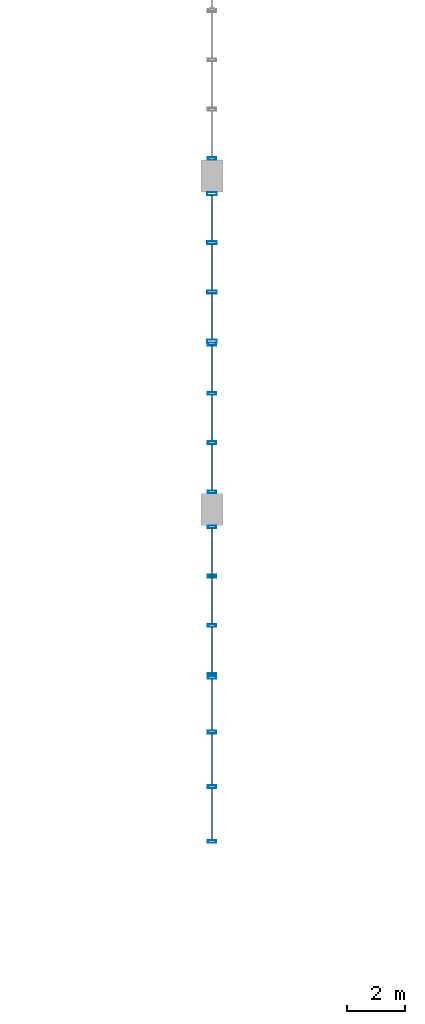
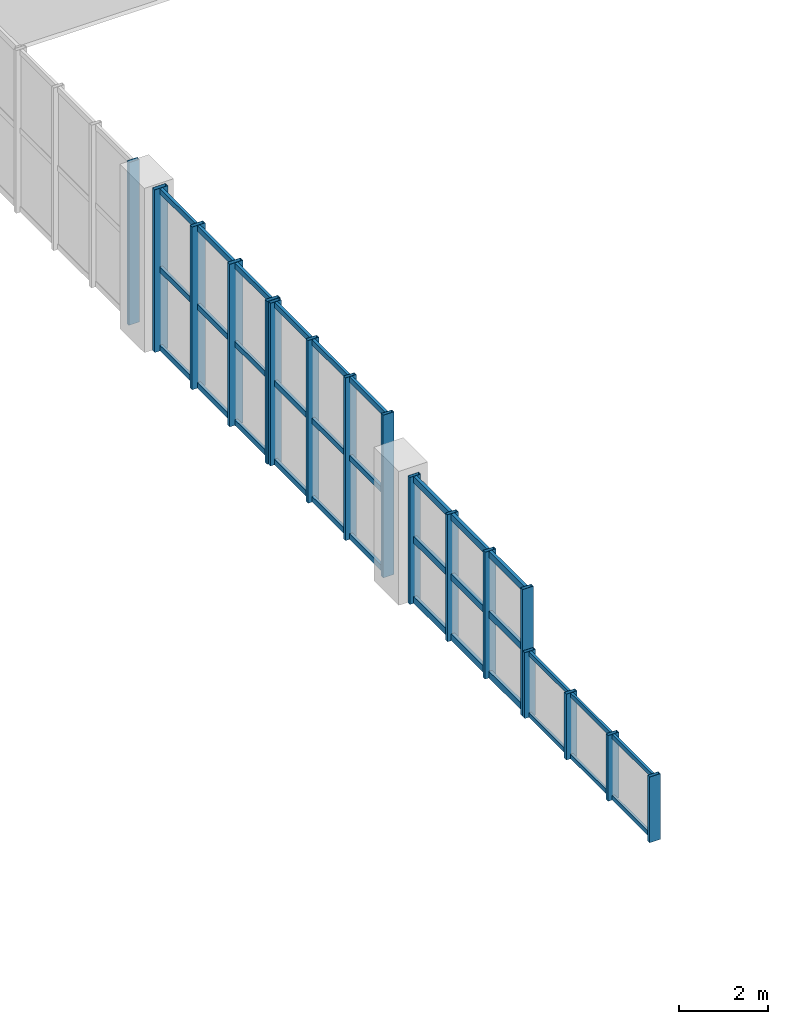
# One storey, part 15 of 48: 50 members, 5 elements without a shape of their own.
"""IFC4 building model written with IfcOpenShell, lengths in metres."""

from ifc_helpers import new_model, si_unit, direction, frame, origin, origin_2d, place, context, subcontext, project, spatial, hollow_rectangle, extrude, material, layer, layer_set, material_profile, profile_set, type_object, element, aggregate, save


model = new_model("IFC4")

# Units and contexts
model_context = context("Model", 3, precision=1e-05, world=origin(), true_north=direction((0.0, 1.0)))
body_context = subcontext(model_context, "Body", "Model", "MODEL_VIEW")
ifc_project = project(units=[si_unit("LENGTHUNIT", "METRE"), si_unit("AREAUNIT", "SQUARE_METRE"), si_unit("VOLUMEUNIT", "CUBIC_METRE"), si_unit("PLANEANGLEUNIT", "RADIAN"), si_unit("MASSUNIT", "GRAM", prefix="KILO"), si_unit("POWERUNIT", "WATT"), si_unit("THERMODYNAMICTEMPERATUREUNIT", "KELVIN")], contexts=[model_context])

# Site, building, storey
site_placement = place(None, origin())
site = spatial("IfcSite", under=ifc_project, at=site_placement, CompositionType="ELEMENT")
building_placement = place(site_placement, origin())
building = spatial("IfcBuilding", under=site, at=building_placement, Name="Kelmbourne Parkland Aquatics Centre", CompositionType="ELEMENT")
storey_placement = place(building_placement, frame((0.0, 0.0, 14.699951171875)))
storey = spatial("IfcBuildingStorey", under=building, at=storey_placement, Name="L03", CompositionType="ELEMENT", Elevation=14.699951171875)

# Curtain wall, members
ifc_material = material(Name="Thermally broken anodised aluminium framing", Category="aluminium")
ifc_layer_1 = layer(ifc_material, 0.179931640625)
ifc_layer_set_1 = layer_set([ifc_layer_1], Name="Thermally broken anodised aluminium framing")
curtain_wall_type_1 = type_object("IfcCurtainWallType", Name="CW-15", PredefinedType="NOTDEFINED", material=ifc_layer_set_1)
curtain_wall_1_placement = place(storey_placement, origin())
curtain_wall_1 = element("IfcCurtainWall", 1, at=curtain_wall_1_placement, inside=storey, type_object=curtain_wall_type_1, Name="Wave-hall clerestory curtain wall CW-L03-063", PredefinedType="NOTDEFINED")
ifc_material_profile_1 = material_profile(ifc_material, hollow_rectangle(XDim=0.094970703125, YDim=0.280029296875, WallThickness=0.005615234375, at=origin_2d()), Name="CW-M 95x280")
ifc_profile_set_1 = profile_set([ifc_material_profile_1], Name="Thermally broken anodised aluminium framing")
member_type_1 = type_object("IfcMemberType", Name="MB-MUL-4", PredefinedType="MULLION", material=ifc_profile_set_1)
member_1_placement = place(storey_placement, frame((128.0, 69.24755859375, 0.0), z_axis=(0.0, 0.0, 1.0), x_axis=(0.0, 1.0, 0.0)))
member_1 = element("IfcMember", 2, at=member_1_placement, type_object=member_type_1, Name="CW-L03-063 mullion 0", PredefinedType="MULLION", context=body_context, shape_type="SweptSolid", body=[
    extrude(hollow_rectangle(XDim=0.094970703125, YDim=0.280029296875, WallThickness=0.005615234375, at=origin_2d()), origin(), (0.0, 0.0, 1.0), 1.799560546875),
])
member_2_placement = place(storey_placement, frame((128.0, 71.11572265625, 0.0), z_axis=(0.0, 0.0, 1.0), x_axis=(0.0, 1.0, 0.0)))
member_2 = element("IfcMember", 3, at=member_2_placement, type_object=member_type_1, Name="CW-L03-063 mullion 1", PredefinedType="MULLION", context=body_context, shape_type="SweptSolid", body=[
    extrude(hollow_rectangle(XDim=0.094970703125, YDim=0.280029296875, WallThickness=0.005615234375, at=origin_2d()), origin(), (0.0, 0.0, 1.0), 1.799560546875),
])
member_3_placement = place(storey_placement, frame((128.0, 72.984130859375, 0.0), z_axis=(0.0, 0.0, 1.0), x_axis=(0.0, 1.0, 0.0)))
member_3 = element("IfcMember", 4, at=member_3_placement, type_object=member_type_1, Name="CW-L03-063 mullion 2", PredefinedType="MULLION", context=body_context, shape_type="SweptSolid", body=[
    extrude(hollow_rectangle(XDim=0.094970703125, YDim=0.280029296875, WallThickness=0.005615234375, at=origin_2d()), origin(), (0.0, 0.0, 1.0), 1.799560546875),
])
member_4_placement = place(storey_placement, frame((128.0, 74.8525390625, 0.0), z_axis=(0.0, 0.0, 1.0), x_axis=(0.0, 1.0, 0.0)))
member_4 = element("IfcMember", 5, at=member_4_placement, type_object=member_type_1, Name="CW-L03-063 mullion 3", PredefinedType="MULLION", context=body_context, shape_type="SweptSolid", body=[
    extrude(hollow_rectangle(XDim=0.094970703125, YDim=0.280029296875, WallThickness=0.005615234375, at=origin_2d()), origin(), (0.0, 0.0, 1.0), 1.799560546875),
])

ifc_layer_2 = layer(ifc_material, 0.179931640625)
ifc_layer_set_2 = layer_set([ifc_layer_2], Name="Thermally broken anodised aluminium framing")
curtain_wall_type_2 = type_object("IfcCurtainWallType", Name="CW-20", PredefinedType="NOTDEFINED", material=ifc_layer_set_2)
curtain_wall_2_placement = place(storey_placement, origin())
curtain_wall_2 = element("IfcCurtainWall", 6, at=curtain_wall_2_placement, inside=storey, type_object=curtain_wall_type_2, Name="Wave-hall clerestory curtain wall CW-L03-068", PredefinedType="NOTDEFINED")
member_5_placement = place(storey_placement, frame((128.0, 74.947509765625, 0.0), z_axis=(0.0, 0.0, 1.0), x_axis=(0.0, 1.0, 0.0)))
member_5 = element("IfcMember", 7, at=member_5_placement, type_object=member_type_1, Name="CW-L03-068 mullion 0", PredefinedType="MULLION", context=body_context, shape_type="SweptSolid", body=[
    extrude(hollow_rectangle(XDim=0.094970703125, YDim=0.280029296875, WallThickness=0.005615234375, at=origin_2d()), origin(), (0.0, 0.0, 1.0), 3.47314453125),
])
member_6_placement = place(storey_placement, frame((128.0, 76.6318359375, 0.0), z_axis=(0.0, 0.0, 1.0), x_axis=(0.0, 1.0, 0.0)))
member_6 = element("IfcMember", 8, at=member_6_placement, type_object=member_type_1, Name="CW-L03-068 mullion 1", PredefinedType="MULLION", context=body_context, shape_type="SweptSolid", body=[
    extrude(hollow_rectangle(XDim=0.094970703125, YDim=0.280029296875, WallThickness=0.005615234375, at=origin_2d()), origin(), (0.0, 0.0, 1.0), 3.47314453125),
])
member_7_placement = place(storey_placement, frame((128.0, 78.316162109375, 0.0), z_axis=(0.0, 0.0, 1.0), x_axis=(0.0, 1.0, 0.0)))
member_7 = element("IfcMember", 9, at=member_7_placement, type_object=member_type_1, Name="CW-L03-068 mullion 2", PredefinedType="MULLION", context=body_context, shape_type="SweptSolid", body=[
    extrude(hollow_rectangle(XDim=0.094970703125, YDim=0.280029296875, WallThickness=0.005615234375, at=origin_2d()), origin(), (0.0, 0.0, 1.0), 3.47314453125),
])
member_8_placement = place(storey_placement, frame((128.0, 80.00048828125, 0.0), z_axis=(0.0, 0.0, 1.0), x_axis=(0.0, 1.0, 0.0)))
member_8 = element("IfcMember", 10, at=member_8_placement, type_object=member_type_1, Name="CW-L03-068 mullion 3", PredefinedType="MULLION", context=body_context, shape_type="SweptSolid", body=[
    extrude(hollow_rectangle(XDim=0.094970703125, YDim=0.280029296875, WallThickness=0.005615234375, at=origin_2d()), origin(), (0.0, 0.0, 1.0), 3.47314453125),
])

ifc_layer_3 = layer(ifc_material, 0.179931640625)
ifc_layer_set_3 = layer_set([ifc_layer_3], Name="Thermally broken anodised aluminium framing")
curtain_wall_type_3 = type_object("IfcCurtainWallType", Name="CW-01", PredefinedType="NOTDEFINED", material=ifc_layer_set_3)
curtain_wall_3_placement = place(storey_placement, origin())
curtain_wall_3 = element("IfcCurtainWall", 11, at=curtain_wall_3_placement, inside=storey, type_object=curtain_wall_type_3, Name="Wave-hall clerestory curtain wall CW-L03-073", PredefinedType="NOTDEFINED")
member_9_placement = place(storey_placement, frame((128.0, 81.199462890625, 0.0), z_axis=(0.0, 0.0, 1.0), x_axis=(0.0, 1.0, 0.0)))
member_9 = element("IfcMember", 12, at=member_9_placement, type_object=member_type_1, Name="CW-L03-073 mullion 0", PredefinedType="MULLION", context=body_context, shape_type="SweptSolid", body=[
    extrude(hollow_rectangle(XDim=0.094970703125, YDim=0.280029296875, WallThickness=0.005615234375, at=origin_2d()), origin(), (0.0, 0.0, 1.0), 4.449951171875),
])
member_10_placement = place(storey_placement, frame((128.0, 82.8837890625, 0.0), z_axis=(0.0, 0.0, 1.0), x_axis=(0.0, 1.0, 0.0)))
member_10 = element("IfcMember", 13, at=member_10_placement, type_object=member_type_1, Name="CW-L03-073 mullion 1", PredefinedType="MULLION", context=body_context, shape_type="SweptSolid", body=[
    extrude(hollow_rectangle(XDim=0.094970703125, YDim=0.280029296875, WallThickness=0.005615234375, at=origin_2d()), origin(), (0.0, 0.0, 1.0), 4.449951171875),
])
member_11_placement = place(storey_placement, frame((128.0, 84.568115234375, 0.0), z_axis=(0.0, 0.0, 1.0), x_axis=(0.0, 1.0, 0.0)))
member_11 = element("IfcMember", 14, at=member_11_placement, type_object=member_type_1, Name="CW-L03-073 mullion 2", PredefinedType="MULLION", context=body_context, shape_type="SweptSolid", body=[
    extrude(hollow_rectangle(XDim=0.094970703125, YDim=0.280029296875, WallThickness=0.005615234375, at=origin_2d()), origin(), (0.0, 0.0, 1.0), 4.449951171875),
])
member_12_placement = place(storey_placement, frame((128.0, 86.25244140625, 0.0), z_axis=(0.0, 0.0, 1.0), x_axis=(0.0, 1.0, 0.0)))
member_12 = element("IfcMember", 15, at=member_12_placement, type_object=member_type_1, Name="CW-L03-073 mullion 3", PredefinedType="MULLION", context=body_context, shape_type="SweptSolid", body=[
    extrude(hollow_rectangle(XDim=0.094970703125, YDim=0.280029296875, WallThickness=0.005615234375, at=origin_2d()), origin(), (0.0, 0.0, 1.0), 4.449951171875),
])

# Curtain wall, member
ifc_layer_4 = layer(ifc_material, 0.179931640625)
ifc_layer_set_4 = layer_set([ifc_layer_4], Name="Thermally broken anodised aluminium framing")
curtain_wall_type_4 = type_object("IfcCurtainWallType", Name="CW-16", PredefinedType="NOTDEFINED", material=ifc_layer_set_4)
curtain_wall_4_placement = place(storey_placement, origin())
curtain_wall_4 = element("IfcCurtainWall", 16, at=curtain_wall_4_placement, inside=storey, type_object=curtain_wall_type_4, Name="Wave-hall clerestory curtain wall CW-L03-088", PredefinedType="NOTDEFINED")
member_13_placement = place(storey_placement, frame((128.0, 92.599609375, 0.0), z_axis=(0.0, 0.0, 1.0), x_axis=(0.0, 1.0, 0.0)))
member_13 = element("IfcMember", 17, at=member_13_placement, type_object=member_type_1, Name="CW-L03-088 mullion 0", PredefinedType="MULLION", context=body_context, shape_type="SweptSolid", body=[
    extrude(hollow_rectangle(XDim=0.094970703125, YDim=0.280029296875, WallThickness=0.005615234375, at=origin_2d()), origin(), (0.0, 0.0, 1.0), 4.449951171875),
])
aggregate(curtain_wall_4, [member_13])

# Curtain wall, members
ifc_layer_5 = layer(ifc_material, 0.179931640625)
ifc_layer_set_5 = layer_set([ifc_layer_5], Name="Thermally broken anodised aluminium framing")
curtain_wall_type_5 = type_object("IfcCurtainWallType", Name="CW-07", PredefinedType="NOTDEFINED", material=ifc_layer_set_5)
curtain_wall_5_placement = place(storey_placement, origin())
curtain_wall_5 = element("IfcCurtainWall", 18, at=curtain_wall_5_placement, inside=storey, type_object=curtain_wall_type_5, Name="Wave-hall clerestory curtain wall CW-L03-079", PredefinedType="NOTDEFINED")
ifc_material_profile_2 = material_profile(ifc_material, hollow_rectangle(XDim=0.10498046875, YDim=0.340087890625, WallThickness=0.006103515625, at=origin_2d()), Name="CW-M 105x340")
ifc_profile_set_2 = profile_set([ifc_material_profile_2], Name="Thermally broken anodised aluminium framing")
member_type_2 = type_object("IfcMemberType", Name="MB-MUL-5", PredefinedType="MULLION", material=ifc_profile_set_2)
member_14_placement = place(storey_placement, frame((128.0, 86.3525390625, 0.0), z_axis=(0.0, 0.0, 1.0), x_axis=(0.0, 1.0, 0.0)))
member_14 = element("IfcMember", 19, at=member_14_placement, type_object=member_type_2, Name="CW-L03-079 mullion 0", PredefinedType="MULLION", context=body_context, shape_type="SweptSolid", body=[
    extrude(hollow_rectangle(XDim=0.10498046875, YDim=0.340087890625, WallThickness=0.006103515625, at=origin_2d()), origin(), (0.0, 0.0, 1.0), 4.449951171875),
])
member_15_placement = place(storey_placement, frame((128.0, 88.033447265625, 0.0), z_axis=(0.0, 0.0, 1.0), x_axis=(0.0, 1.0, 0.0)))
member_15 = element("IfcMember", 20, at=member_15_placement, type_object=member_type_2, Name="CW-L03-079 mullion 1", PredefinedType="MULLION", context=body_context, shape_type="SweptSolid", body=[
    extrude(hollow_rectangle(XDim=0.10498046875, YDim=0.340087890625, WallThickness=0.006103515625, at=origin_2d()), origin(), (0.0, 0.0, 1.0), 4.449951171875),
])
member_16_placement = place(storey_placement, frame((128.0, 89.714599609375, 0.0), z_axis=(0.0, 0.0, 1.0), x_axis=(0.0, 1.0, 0.0)))
member_16 = element("IfcMember", 21, at=member_16_placement, type_object=member_type_2, Name="CW-L03-079 mullion 2", PredefinedType="MULLION", context=body_context, shape_type="SweptSolid", body=[
    extrude(hollow_rectangle(XDim=0.10498046875, YDim=0.340087890625, WallThickness=0.006103515625, at=origin_2d()), origin(), (0.0, 0.0, 1.0), 4.449951171875),
])
member_17_placement = place(storey_placement, frame((128.0, 91.3955078125, 0.0), z_axis=(0.0, 0.0, 1.0), x_axis=(0.0, 1.0, 0.0)))
member_17 = element("IfcMember", 22, at=member_17_placement, type_object=member_type_2, Name="CW-L03-079 mullion 3", PredefinedType="MULLION", context=body_context, shape_type="SweptSolid", body=[
    extrude(hollow_rectangle(XDim=0.10498046875, YDim=0.340087890625, WallThickness=0.006103515625, at=origin_2d()), origin(), (0.0, 0.0, 1.0), 4.449951171875),
])

# Member
ifc_material_profile_3 = material_profile(ifc_material, hollow_rectangle(XDim=0.06494140625, YDim=0.1201171875, WallThickness=0.00341796875, at=origin_2d()), Name="CW-T 65x120")
ifc_profile_set_3 = profile_set([ifc_material_profile_3], Name="Thermally broken anodised aluminium framing")
member_type_3 = type_object("IfcMemberType", Name="MB-TRN-1", PredefinedType="USERDEFINED", material=ifc_profile_set_3)
member_18_placement = place(storey_placement, frame((128.0, 69.291015625, 0.06298828125), z_axis=(0.0, 1.0, 0.0), x_axis=(-1.0, 0.0, 0.0)))
member_18 = element("IfcMember", 23, at=member_18_placement, type_object=member_type_3, Name="CW-L03-063 transom 0-0", ObjectType="TRANSOM", PredefinedType="USERDEFINED", context=body_context, shape_type="SweptSolid", body=[
    extrude(hollow_rectangle(XDim=0.06494140625, YDim=0.1201171875, WallThickness=0.00341796875, at=origin_2d()), origin(), (0.0, 0.0, 1.0), 1.78125),
])

member_19_placement = place(storey_placement, frame((128.0, 71.1591796875, 0.06298828125), z_axis=(0.0, 1.0, 0.0), x_axis=(-1.0, 0.0, 0.0)))
member_19 = element("IfcMember", 24, at=member_19_placement, type_object=member_type_3, Name="CW-L03-063 transom 0-1", ObjectType="TRANSOM", PredefinedType="USERDEFINED", context=body_context, shape_type="SweptSolid", body=[
    extrude(hollow_rectangle(XDim=0.06494140625, YDim=0.1201171875, WallThickness=0.00341796875, at=origin_2d()), origin(), (0.0, 0.0, 1.0), 1.781494140625),
])

member_20_placement = place(storey_placement, frame((128.0, 73.027587890625, 0.06298828125), z_axis=(0.0, 1.0, 0.0), x_axis=(-1.0, 0.0, 0.0)))
member_20 = element("IfcMember", 25, at=member_20_placement, type_object=member_type_3, Name="CW-L03-063 transom 0-2", ObjectType="TRANSOM", PredefinedType="USERDEFINED", context=body_context, shape_type="SweptSolid", body=[
    extrude(hollow_rectangle(XDim=0.06494140625, YDim=0.1201171875, WallThickness=0.00341796875, at=origin_2d()), origin(), (0.0, 0.0, 1.0), 1.781494140625),
])

member_21_placement = place(storey_placement, frame((128.0, 69.291015625, 1.736572265625), z_axis=(0.0, 1.0, 0.0), x_axis=(-1.0, 0.0, 0.0)))
member_21 = element("IfcMember", 26, at=member_21_placement, type_object=member_type_3, Name="CW-L03-063 transom 1-0", ObjectType="TRANSOM", PredefinedType="USERDEFINED", context=body_context, shape_type="SweptSolid", body=[
    extrude(hollow_rectangle(XDim=0.06494140625, YDim=0.1201171875, WallThickness=0.00341796875, at=origin_2d()), origin(), (0.0, 0.0, 1.0), 1.78125),
])

member_22_placement = place(storey_placement, frame((128.0, 71.1591796875, 1.736572265625), z_axis=(0.0, 1.0, 0.0), x_axis=(-1.0, 0.0, 0.0)))
member_22 = element("IfcMember", 27, at=member_22_placement, type_object=member_type_3, Name="CW-L03-063 transom 1-1", ObjectType="TRANSOM", PredefinedType="USERDEFINED", context=body_context, shape_type="SweptSolid", body=[
    extrude(hollow_rectangle(XDim=0.06494140625, YDim=0.1201171875, WallThickness=0.00341796875, at=origin_2d()), origin(), (0.0, 0.0, 1.0), 1.781494140625),
])

member_23_placement = place(storey_placement, frame((128.0, 73.027587890625, 1.736572265625), z_axis=(0.0, 1.0, 0.0), x_axis=(-1.0, 0.0, 0.0)))
member_23 = element("IfcMember", 28, at=member_23_placement, type_object=member_type_3, Name="CW-L03-063 transom 1-2", ObjectType="TRANSOM", PredefinedType="USERDEFINED", context=body_context, shape_type="SweptSolid", body=[
    extrude(hollow_rectangle(XDim=0.06494140625, YDim=0.1201171875, WallThickness=0.00341796875, at=origin_2d()), origin(), (0.0, 0.0, 1.0), 1.781494140625),
])

aggregate(curtain_wall_1, [member_1, member_2, member_3, member_4, member_18, member_19, member_20, member_21, member_22, member_23])

ifc_material_profile_4 = material_profile(ifc_material, hollow_rectangle(XDim=0.074951171875, YDim=0.14990234375, WallThickness=0.00390625, at=origin_2d()), Name="CW-T 75x150")
ifc_profile_set_4 = profile_set([ifc_material_profile_4], Name="Thermally broken anodised aluminium framing")
member_type_4 = type_object("IfcMemberType", Name="MB-TRN-2", PredefinedType="USERDEFINED", material=ifc_profile_set_4)
member_24_placement = place(storey_placement, frame((128.0, 81.242919921875, 0.078125), z_axis=(0.0, 1.0, 0.0), x_axis=(-1.0, 0.0, 0.0)))
member_24 = element("IfcMember", 29, at=member_24_placement, type_object=member_type_4, Name="CW-L03-073 transom 0-0", ObjectType="TRANSOM", PredefinedType="USERDEFINED", context=body_context, shape_type="SweptSolid", body=[
    extrude(hollow_rectangle(XDim=0.074951171875, YDim=0.14990234375, WallThickness=0.00390625, at=origin_2d()), origin(), (0.0, 0.0, 1.0), 1.597412109375),
])

member_25_placement = place(storey_placement, frame((128.0, 82.92724609375, 0.078125), z_axis=(0.0, 1.0, 0.0), x_axis=(-1.0, 0.0, 0.0)))
member_25 = element("IfcMember", 30, at=member_25_placement, type_object=member_type_4, Name="CW-L03-073 transom 0-1", ObjectType="TRANSOM", PredefinedType="USERDEFINED", context=body_context, shape_type="SweptSolid", body=[
    extrude(hollow_rectangle(XDim=0.074951171875, YDim=0.14990234375, WallThickness=0.00390625, at=origin_2d()), origin(), (0.0, 0.0, 1.0), 1.597412109375),
])

member_26_placement = place(storey_placement, frame((128.0, 84.61181640625, 0.078125), z_axis=(0.0, 1.0, 0.0), x_axis=(-1.0, 0.0, 0.0)))
member_26 = element("IfcMember", 31, at=member_26_placement, type_object=member_type_4, Name="CW-L03-073 transom 0-2", ObjectType="TRANSOM", PredefinedType="USERDEFINED", context=body_context, shape_type="SweptSolid", body=[
    extrude(hollow_rectangle(XDim=0.074951171875, YDim=0.14990234375, WallThickness=0.00390625, at=origin_2d()), origin(), (0.0, 0.0, 1.0), 1.59716796875),
])

member_27_placement = place(storey_placement, frame((128.0, 81.242919921875, 2.22509765625), z_axis=(0.0, 1.0, 0.0), x_axis=(-1.0, 0.0, 0.0)))
member_27 = element("IfcMember", 32, at=member_27_placement, type_object=member_type_4, Name="CW-L03-073 transom 1-0", ObjectType="TRANSOM", PredefinedType="USERDEFINED", context=body_context, shape_type="SweptSolid", body=[
    extrude(hollow_rectangle(XDim=0.074951171875, YDim=0.14990234375, WallThickness=0.00390625, at=origin_2d()), origin(), (0.0, 0.0, 1.0), 1.597412109375),
])

member_28_placement = place(storey_placement, frame((128.0, 82.92724609375, 2.22509765625), z_axis=(0.0, 1.0, 0.0), x_axis=(-1.0, 0.0, 0.0)))
member_28 = element("IfcMember", 33, at=member_28_placement, type_object=member_type_4, Name="CW-L03-073 transom 1-1", ObjectType="TRANSOM", PredefinedType="USERDEFINED", context=body_context, shape_type="SweptSolid", body=[
    extrude(hollow_rectangle(XDim=0.074951171875, YDim=0.14990234375, WallThickness=0.00390625, at=origin_2d()), origin(), (0.0, 0.0, 1.0), 1.597412109375),
])

member_29_placement = place(storey_placement, frame((128.0, 84.61181640625, 2.22509765625), z_axis=(0.0, 1.0, 0.0), x_axis=(-1.0, 0.0, 0.0)))
member_29 = element("IfcMember", 34, at=member_29_placement, type_object=member_type_4, Name="CW-L03-073 transom 1-2", ObjectType="TRANSOM", PredefinedType="USERDEFINED", context=body_context, shape_type="SweptSolid", body=[
    extrude(hollow_rectangle(XDim=0.074951171875, YDim=0.14990234375, WallThickness=0.00390625, at=origin_2d()), origin(), (0.0, 0.0, 1.0), 1.59716796875),
])

member_30_placement = place(storey_placement, frame((128.0, 81.242919921875, 4.3720703125), z_axis=(0.0, 1.0, 0.0), x_axis=(-1.0, 0.0, 0.0)))
member_30 = element("IfcMember", 35, at=member_30_placement, type_object=member_type_4, Name="CW-L03-073 transom 2-0", ObjectType="TRANSOM", PredefinedType="USERDEFINED", context=body_context, shape_type="SweptSolid", body=[
    extrude(hollow_rectangle(XDim=0.074951171875, YDim=0.14990234375, WallThickness=0.00390625, at=origin_2d()), origin(), (0.0, 0.0, 1.0), 1.597412109375),
])

member_31_placement = place(storey_placement, frame((128.0, 82.92724609375, 4.3720703125), z_axis=(0.0, 1.0, 0.0), x_axis=(-1.0, 0.0, 0.0)))
member_31 = element("IfcMember", 36, at=member_31_placement, type_object=member_type_4, Name="CW-L03-073 transom 2-1", ObjectType="TRANSOM", PredefinedType="USERDEFINED", context=body_context, shape_type="SweptSolid", body=[
    extrude(hollow_rectangle(XDim=0.074951171875, YDim=0.14990234375, WallThickness=0.00390625, at=origin_2d()), origin(), (0.0, 0.0, 1.0), 1.597412109375),
])

member_32_placement = place(storey_placement, frame((128.0, 84.61181640625, 4.3720703125), z_axis=(0.0, 1.0, 0.0), x_axis=(-1.0, 0.0, 0.0)))
member_32 = element("IfcMember", 37, at=member_32_placement, type_object=member_type_4, Name="CW-L03-073 transom 2-2", ObjectType="TRANSOM", PredefinedType="USERDEFINED", context=body_context, shape_type="SweptSolid", body=[
    extrude(hollow_rectangle(XDim=0.074951171875, YDim=0.14990234375, WallThickness=0.00390625, at=origin_2d()), origin(), (0.0, 0.0, 1.0), 1.59716796875),
])

aggregate(curtain_wall_3, [member_9, member_10, member_11, member_12, member_24, member_25, member_26, member_27, member_28, member_29, member_30, member_31, member_32])

member_33_placement = place(storey_placement, frame((128.0, 86.40087890625, 0.078125), z_axis=(0.0, 1.0, 0.0), x_axis=(-1.0, 0.0, 0.0)))
member_33 = element("IfcMember", 38, at=member_33_placement, type_object=member_type_4, Name="CW-L03-079 transom 0-0", ObjectType="TRANSOM", PredefinedType="USERDEFINED", context=body_context, shape_type="SweptSolid", body=[
    extrude(hollow_rectangle(XDim=0.074951171875, YDim=0.14990234375, WallThickness=0.00390625, at=origin_2d()), origin(), (0.0, 0.0, 1.0), 1.584228515625),
])

member_34_placement = place(storey_placement, frame((128.0, 88.08203125, 0.078125), z_axis=(0.0, 1.0, 0.0), x_axis=(-1.0, 0.0, 0.0)))
member_34 = element("IfcMember", 39, at=member_34_placement, type_object=member_type_4, Name="CW-L03-079 transom 0-1", ObjectType="TRANSOM", PredefinedType="USERDEFINED", context=body_context, shape_type="SweptSolid", body=[
    extrude(hollow_rectangle(XDim=0.074951171875, YDim=0.14990234375, WallThickness=0.00390625, at=origin_2d()), origin(), (0.0, 0.0, 1.0), 1.583984375),
])

member_35_placement = place(storey_placement, frame((128.0, 89.762939453125, 0.078125), z_axis=(0.0, 1.0, 0.0), x_axis=(-1.0, 0.0, 0.0)))
member_35 = element("IfcMember", 40, at=member_35_placement, type_object=member_type_4, Name="CW-L03-079 transom 0-2", ObjectType="TRANSOM", PredefinedType="USERDEFINED", context=body_context, shape_type="SweptSolid", body=[
    extrude(hollow_rectangle(XDim=0.074951171875, YDim=0.14990234375, WallThickness=0.00390625, at=origin_2d()), origin(), (0.0, 0.0, 1.0), 1.583984375),
])

member_36_placement = place(storey_placement, frame((128.0, 86.40087890625, 2.22509765625), z_axis=(0.0, 1.0, 0.0), x_axis=(-1.0, 0.0, 0.0)))
member_36 = element("IfcMember", 41, at=member_36_placement, type_object=member_type_4, Name="CW-L03-079 transom 1-0", ObjectType="TRANSOM", PredefinedType="USERDEFINED", context=body_context, shape_type="SweptSolid", body=[
    extrude(hollow_rectangle(XDim=0.074951171875, YDim=0.14990234375, WallThickness=0.00390625, at=origin_2d()), origin(), (0.0, 0.0, 1.0), 1.584228515625),
])

member_37_placement = place(storey_placement, frame((128.0, 88.08203125, 2.22509765625), z_axis=(0.0, 1.0, 0.0), x_axis=(-1.0, 0.0, 0.0)))
member_37 = element("IfcMember", 42, at=member_37_placement, type_object=member_type_4, Name="CW-L03-079 transom 1-1", ObjectType="TRANSOM", PredefinedType="USERDEFINED", context=body_context, shape_type="SweptSolid", body=[
    extrude(hollow_rectangle(XDim=0.074951171875, YDim=0.14990234375, WallThickness=0.00390625, at=origin_2d()), origin(), (0.0, 0.0, 1.0), 1.583984375),
])

member_38_placement = place(storey_placement, frame((128.0, 89.762939453125, 2.22509765625), z_axis=(0.0, 1.0, 0.0), x_axis=(-1.0, 0.0, 0.0)))
member_38 = element("IfcMember", 43, at=member_38_placement, type_object=member_type_4, Name="CW-L03-079 transom 1-2", ObjectType="TRANSOM", PredefinedType="USERDEFINED", context=body_context, shape_type="SweptSolid", body=[
    extrude(hollow_rectangle(XDim=0.074951171875, YDim=0.14990234375, WallThickness=0.00390625, at=origin_2d()), origin(), (0.0, 0.0, 1.0), 1.583984375),
])

member_39_placement = place(storey_placement, frame((128.0, 86.40087890625, 4.3720703125), z_axis=(0.0, 1.0, 0.0), x_axis=(-1.0, 0.0, 0.0)))
member_39 = element("IfcMember", 44, at=member_39_placement, type_object=member_type_4, Name="CW-L03-079 transom 2-0", ObjectType="TRANSOM", PredefinedType="USERDEFINED", context=body_context, shape_type="SweptSolid", body=[
    extrude(hollow_rectangle(XDim=0.074951171875, YDim=0.14990234375, WallThickness=0.00390625, at=origin_2d()), origin(), (0.0, 0.0, 1.0), 1.584228515625),
])

member_40_placement = place(storey_placement, frame((128.0, 88.08203125, 4.3720703125), z_axis=(0.0, 1.0, 0.0), x_axis=(-1.0, 0.0, 0.0)))
member_40 = element("IfcMember", 45, at=member_40_placement, type_object=member_type_4, Name="CW-L03-079 transom 2-1", ObjectType="TRANSOM", PredefinedType="USERDEFINED", context=body_context, shape_type="SweptSolid", body=[
    extrude(hollow_rectangle(XDim=0.074951171875, YDim=0.14990234375, WallThickness=0.00390625, at=origin_2d()), origin(), (0.0, 0.0, 1.0), 1.583984375),
])

member_41_placement = place(storey_placement, frame((128.0, 89.762939453125, 4.3720703125), z_axis=(0.0, 1.0, 0.0), x_axis=(-1.0, 0.0, 0.0)))
member_41 = element("IfcMember", 46, at=member_41_placement, type_object=member_type_4, Name="CW-L03-079 transom 2-2", ObjectType="TRANSOM", PredefinedType="USERDEFINED", context=body_context, shape_type="SweptSolid", body=[
    extrude(hollow_rectangle(XDim=0.074951171875, YDim=0.14990234375, WallThickness=0.00390625, at=origin_2d()), origin(), (0.0, 0.0, 1.0), 1.583984375),
])

aggregate(curtain_wall_5, [member_14, member_15, member_16, member_17, member_33, member_34, member_35, member_36, member_37, member_38, member_39, member_40, member_41])

ifc_material_profile_5 = material_profile(ifc_material, hollow_rectangle(XDim=0.0849609375, YDim=0.179931640625, WallThickness=0.00439453125, at=origin_2d()), Name="CW-T 85x180")
ifc_profile_set_5 = profile_set([ifc_material_profile_5], Name="Thermally broken anodised aluminium framing")
member_type_5 = type_object("IfcMemberType", Name="MB-TRN-3", PredefinedType="USERDEFINED", material=ifc_profile_set_5)
member_42_placement = place(storey_placement, frame((128.0, 74.990966796875, 0.093017578125), z_axis=(0.0, 1.0, 0.0), x_axis=(-1.0, 0.0, 0.0)))
member_42 = element("IfcMember", 47, at=member_42_placement, type_object=member_type_5, Name="CW-L03-068 transom 0-0", ObjectType="TRANSOM", PredefinedType="USERDEFINED", context=body_context, shape_type="SweptSolid", body=[
    extrude(hollow_rectangle(XDim=0.0849609375, YDim=0.179931640625, WallThickness=0.00439453125, at=origin_2d()), origin(), (0.0, 0.0, 1.0), 1.597412109375),
])

member_43_placement = place(storey_placement, frame((128.0, 76.67529296875, 0.093017578125), z_axis=(0.0, 1.0, 0.0), x_axis=(-1.0, 0.0, 0.0)))
member_43 = element("IfcMember", 48, at=member_43_placement, type_object=member_type_5, Name="CW-L03-068 transom 0-1", ObjectType="TRANSOM", PredefinedType="USERDEFINED", context=body_context, shape_type="SweptSolid", body=[
    extrude(hollow_rectangle(XDim=0.0849609375, YDim=0.179931640625, WallThickness=0.00439453125, at=origin_2d()), origin(), (0.0, 0.0, 1.0), 1.597412109375),
])

member_44_placement = place(storey_placement, frame((128.0, 78.359619140625, 0.093017578125), z_axis=(0.0, 1.0, 0.0), x_axis=(-1.0, 0.0, 0.0)))
member_44 = element("IfcMember", 49, at=member_44_placement, type_object=member_type_5, Name="CW-L03-068 transom 0-2", ObjectType="TRANSOM", PredefinedType="USERDEFINED", context=body_context, shape_type="SweptSolid", body=[
    extrude(hollow_rectangle(XDim=0.0849609375, YDim=0.179931640625, WallThickness=0.00439453125, at=origin_2d()), origin(), (0.0, 0.0, 1.0), 1.597412109375),
])

member_45_placement = place(storey_placement, frame((128.0, 74.990966796875, 1.736572265625), z_axis=(0.0, 1.0, 0.0), x_axis=(-1.0, 0.0, 0.0)))
member_45 = element("IfcMember", 50, at=member_45_placement, type_object=member_type_5, Name="CW-L03-068 transom 1-0", ObjectType="TRANSOM", PredefinedType="USERDEFINED", context=body_context, shape_type="SweptSolid", body=[
    extrude(hollow_rectangle(XDim=0.0849609375, YDim=0.179931640625, WallThickness=0.00439453125, at=origin_2d()), origin(), (0.0, 0.0, 1.0), 1.597412109375),
])

member_46_placement = place(storey_placement, frame((128.0, 76.67529296875, 1.736572265625), z_axis=(0.0, 1.0, 0.0), x_axis=(-1.0, 0.0, 0.0)))
member_46 = element("IfcMember", 51, at=member_46_placement, type_object=member_type_5, Name="CW-L03-068 transom 1-1", ObjectType="TRANSOM", PredefinedType="USERDEFINED", context=body_context, shape_type="SweptSolid", body=[
    extrude(hollow_rectangle(XDim=0.0849609375, YDim=0.179931640625, WallThickness=0.00439453125, at=origin_2d()), origin(), (0.0, 0.0, 1.0), 1.597412109375),
])

member_47_placement = place(storey_placement, frame((128.0, 78.359619140625, 1.736572265625), z_axis=(0.0, 1.0, 0.0), x_axis=(-1.0, 0.0, 0.0)))
member_47 = element("IfcMember", 52, at=member_47_placement, type_object=member_type_5, Name="CW-L03-068 transom 1-2", ObjectType="TRANSOM", PredefinedType="USERDEFINED", context=body_context, shape_type="SweptSolid", body=[
    extrude(hollow_rectangle(XDim=0.0849609375, YDim=0.179931640625, WallThickness=0.00439453125, at=origin_2d()), origin(), (0.0, 0.0, 1.0), 1.597412109375),
])

member_48_placement = place(storey_placement, frame((128.0, 74.990966796875, 3.380126953125), z_axis=(0.0, 1.0, 0.0), x_axis=(-1.0, 0.0, 0.0)))
member_48 = element("IfcMember", 53, at=member_48_placement, type_object=member_type_5, Name="CW-L03-068 transom 2-0", ObjectType="TRANSOM", PredefinedType="USERDEFINED", context=body_context, shape_type="SweptSolid", body=[
    extrude(hollow_rectangle(XDim=0.0849609375, YDim=0.179931640625, WallThickness=0.00439453125, at=origin_2d()), origin(), (0.0, 0.0, 1.0), 1.597412109375),
])

member_49_placement = place(storey_placement, frame((128.0, 76.67529296875, 3.380126953125), z_axis=(0.0, 1.0, 0.0), x_axis=(-1.0, 0.0, 0.0)))
member_49 = element("IfcMember", 54, at=member_49_placement, type_object=member_type_5, Name="CW-L03-068 transom 2-1", ObjectType="TRANSOM", PredefinedType="USERDEFINED", context=body_context, shape_type="SweptSolid", body=[
    extrude(hollow_rectangle(XDim=0.0849609375, YDim=0.179931640625, WallThickness=0.00439453125, at=origin_2d()), origin(), (0.0, 0.0, 1.0), 1.597412109375),
])

member_50_placement = place(storey_placement, frame((128.0, 78.359619140625, 3.380126953125), z_axis=(0.0, 1.0, 0.0), x_axis=(-1.0, 0.0, 0.0)))
member_50 = element("IfcMember", 55, at=member_50_placement, type_object=member_type_5, Name="CW-L03-068 transom 2-2", ObjectType="TRANSOM", PredefinedType="USERDEFINED", context=body_context, shape_type="SweptSolid", body=[
    extrude(hollow_rectangle(XDim=0.0849609375, YDim=0.179931640625, WallThickness=0.00439453125, at=origin_2d()), origin(), (0.0, 0.0, 1.0), 1.597412109375),
])

aggregate(curtain_wall_2, [member_5, member_6, member_7, member_8, member_42, member_43, member_44, member_45, member_46, member_47, member_48, member_49, member_50])

save(model, "model.ifc")
